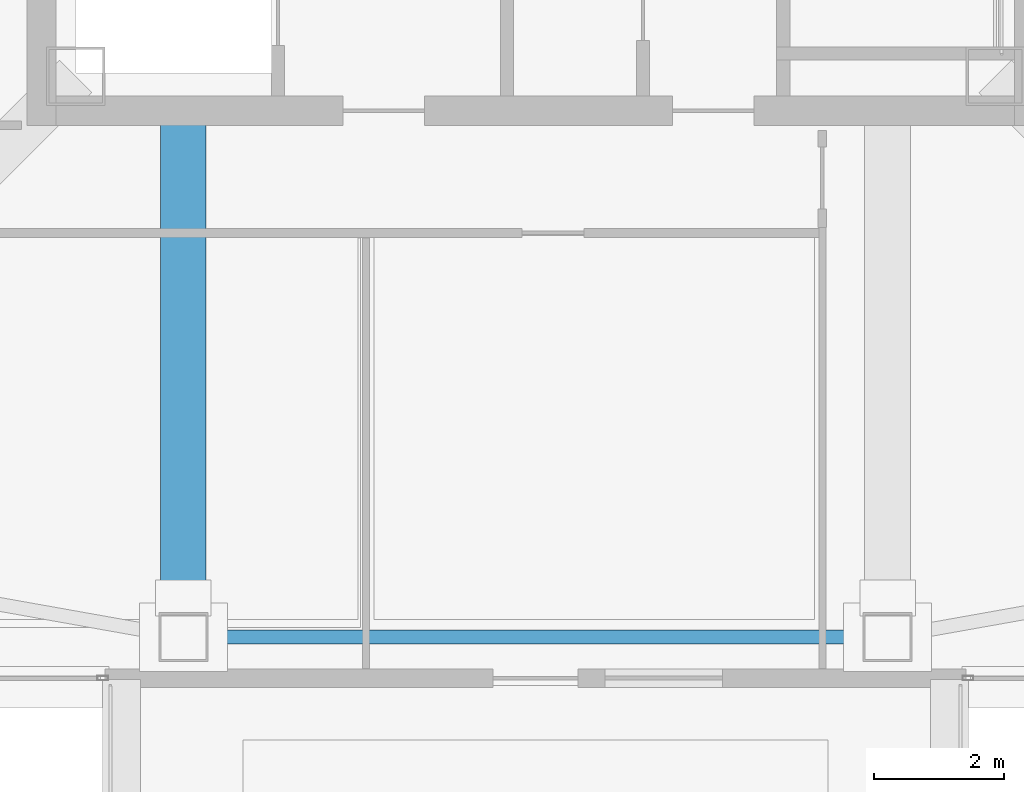
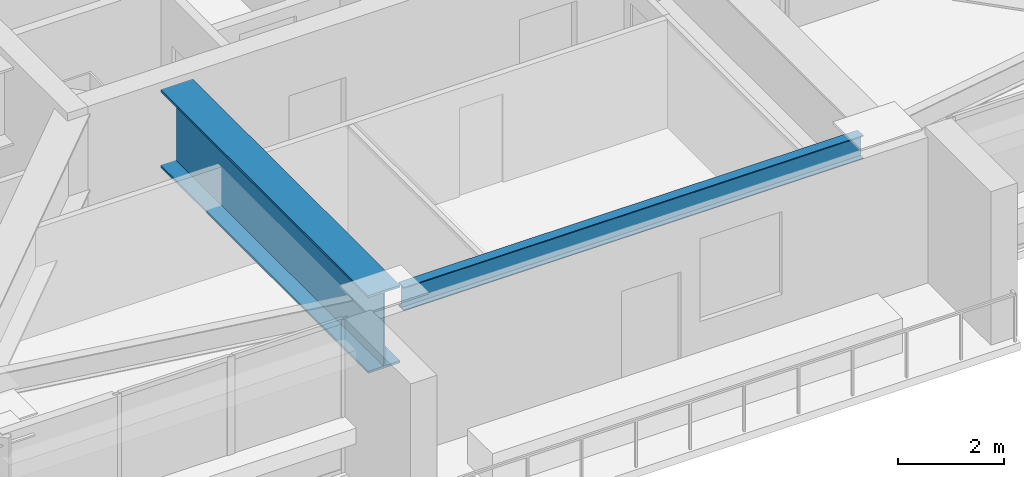
# One storey, part 5 of 40: 2 beams.
"""IFC4 building model written with IfcOpenShell, lengths in metres."""

import ifcopenshell
import ifcopenshell.guid

model = None  # the IFC model being written
_history = None  # IfcOwnerHistory: only IFC2X3 demands one
_inside = {}  # id of a spatial element -> (the spatial element, [elements in it])
_under = {}  # id of a project, library or spatial element -> (it, [spatial elements below it])
_declared = {}  # id of a project -> (the project, [libraries it declares])
_typed = {}  # id of a type object -> (the type object, [elements of that type])
_made_of = {}  # id of a material, layer set ... -> (it, [elements and type objects made of it])


def new_model(schema):
    """Start an empty IFC model of exactly this schema.

    Asked for "IFC4X3", IfcOpenShell would pick the latest addendum, in which some entities
    have other attributes; the version numbers below select the first issue.
    IFC2X3 requires an IfcOwnerHistory on every rooted entity: one is made here for all.
    """
    global model, _history
    if schema == "IFC4X3":
        model = ifcopenshell.file(schema_version=(4, 3, 0, 0))
    else:
        model = ifcopenshell.file(schema=schema)
    _inside.clear()
    _under.clear()
    _declared.clear()
    _typed.clear()
    _made_of.clear()
    _history = None
    if model.schema == "IFC2X3":
        org = make("IfcOrganization", Name="unknown")
        user = make(
            "IfcPersonAndOrganization",
            ThePerson=make("IfcPerson", FamilyName="unknown"),
            TheOrganization=org,
        )
        app = make(
            "IfcApplication",
            ApplicationDeveloper=org,
            Version="unknown",
            ApplicationFullName="unknown",
            ApplicationIdentifier="unknown",
        )
        _history = make(
            "IfcOwnerHistory",
            OwningUser=user,
            OwningApplication=app,
            ChangeAction="ADDED",
            CreationDate=0,
        )
    return model


def make(cls, **values):
    """One entity of the class cls with the attributes given. An attribute that is None is left unset."""
    return model.create_entity(
        cls, **{name: value for name, value in values.items() if value is not None}
    )


def rooted(cls, **values):
    """An entity with a GlobalId (a new one), such as an element, a storey or a relation."""
    return make(cls, GlobalId=ifcopenshell.guid.new(), OwnerHistory=_history, **values)


def si_unit(unit_type, name, prefix=None):
    """IfcSIUnit, for example si_unit("LENGTHUNIT", "METRE", prefix="MILLI")."""
    return make("IfcSIUnit", UnitType=unit_type, Prefix=prefix, Name=name)


def assignment(units):
    """IfcUnitAssignment: the units of a project."""
    return None if units is None else make("IfcUnitAssignment", Units=units)


def point(xyz):
    """IfcCartesianPoint."""
    return None if xyz is None else make("IfcCartesianPoint", Coordinates=xyz)


def direction(xyz):
    """IfcDirection."""
    return None if xyz is None else make("IfcDirection", DirectionRatios=xyz)


def frame(location, z_axis=None, x_axis=None):
    """IfcAxis2Placement3D, a coordinate frame: its origin and axes. An axis left out is left unset."""
    return make(
        "IfcAxis2Placement3D",
        Location=point(location),
        Axis=direction(z_axis),
        RefDirection=direction(x_axis),
    )


def frame_2d(location, x_axis=None):
    """IfcAxis2Placement2D, a coordinate frame in the plane: its origin and x axis."""
    return make(
        "IfcAxis2Placement2D", Location=point(location), RefDirection=direction(x_axis)
    )


def origin():
    """The frame at (0, 0, 0) with its axes left unset."""
    return frame((0.0, 0.0, 0.0))


def origin_2d():
    """The frame at (0, 0) in the plane with its x axis left unset."""
    return frame_2d((0.0, 0.0))


def place(relative_to, where):
    """IfcLocalPlacement: puts the frame where relative to a parent placement (None: the world)."""
    return make(
        "IfcLocalPlacement", PlacementRelTo=relative_to, RelativePlacement=where
    )


def context(
    kind, dimensions, precision=None, world=None, true_north=None, identifier=None
):
    """IfcGeometricRepresentationContext, for example the 3D "Model" context."""
    return make(
        "IfcGeometricRepresentationContext",
        ContextIdentifier=identifier,
        ContextType=kind,
        CoordinateSpaceDimension=dimensions,
        Precision=precision,
        WorldCoordinateSystem=world,
        TrueNorth=true_north,
    )


def subcontext(parent, identifier, kind, view, scale=None):
    """IfcGeometricRepresentationSubContext, for example "Body" below "Model"."""
    return make(
        "IfcGeometricRepresentationSubContext",
        ContextIdentifier=identifier,
        ContextType=kind,
        ParentContext=parent,
        TargetScale=scale,
        TargetView=view,
    )


def project(units=None, contexts=None):
    """IfcProject with its units and contexts."""
    return rooted(
        "IfcProject",
        Name="project",
        RepresentationContexts=contexts,
        UnitsInContext=assignment(units),
    )


def spatial(cls, under=None, at=None, **own):
    """A site, building, storey or space (cls), placed at a placement, below another one or the project."""
    s = rooted(cls, ObjectPlacement=at, **own)
    if under is not None:
        _under.setdefault(under.id(), (under, []))[1].append(s)
    return s


def profile(cls, at=None, kind="AREA", **sizes):
    """A parametric profile (cls). Its sizes go by their IFC names, for example OverallWidth=200.0."""
    return make(cls, ProfileType=kind, Position=at, **sizes)


def i_section(**sizes):
    """IfcIShapeProfileDef."""
    return profile("IfcIShapeProfileDef", **sizes)


def extrude(swept, where, along, depth):
    """IfcExtrudedAreaSolid: the profile swept, set in the frame where, extruded along a direction by depth."""
    return make(
        "IfcExtrudedAreaSolid",
        SweptArea=swept,
        Position=where,
        ExtrudedDirection=direction(along),
        Depth=depth,
    )


def shape(context_of_items, identifier, shape_type, items):
    """IfcShapeRepresentation: the items that make up one representation, for example the "Body"."""
    return make(
        "IfcShapeRepresentation",
        ContextOfItems=context_of_items,
        RepresentationIdentifier=identifier,
        RepresentationType=shape_type,
        Items=items,
    )


def material(Name=None, Category=None):
    """IfcMaterial."""
    return make("IfcMaterial", Name=Name, Category=Category)


def material_profile(
    of_material, cross_section, Name=None, Category=None, Priority=None
):
    """IfcMaterialProfile: a cross section and its material."""
    return make(
        "IfcMaterialProfile",
        Name=Name,
        Material=of_material,
        Profile=cross_section,
        Priority=Priority,
        Category=Category,
    )


def profile_set(profiles, Name=None, composite=None):
    """IfcMaterialProfileSet."""
    return make(
        "IfcMaterialProfileSet",
        Name=Name,
        MaterialProfiles=profiles,
        CompositeProfile=composite,
    )


def made_of(thing, what):
    """Note that an element or type object is made of a material, layer set ...; save() writes the relation."""
    if what is not None:
        _made_of.setdefault(what.id(), (what, []))[1].append(thing)
    return thing


def type_object(cls, material=None, **own):
    """A type object (cls), such as IfcWallType, which elements share."""
    return made_of(rooted(cls, **own), material)


def element(
    cls,
    number,
    at=None,
    inside=None,
    cuts=None,
    type_object=None,
    material=None,
    context=None,
    identifier="Body",
    shape_type=None,
    held_by="IfcProductDefinitionShape",
    body=None,
    shapes=None,
    **own,
):
    """One element of the class cls, such as IfcWall. Its Tag is "e" and its number.

    at: its placement. inside: the storey or other place that contains it. cuts: it is an
    opening in that element (IfcRelVoidsElement). A single representation is given by context,
    identifier, shape_type and body (its items); several are given by shapes. held_by: the class
    of the entity that holds the representations. save() writes the other relations.
    """
    e = rooted(cls, Tag="e%d" % number, ObjectPlacement=at, **own)
    if body is not None:
        shapes = [shape(context, identifier, shape_type, body)]
    if shapes is not None:
        e.Representation = make(held_by, Representations=shapes)
    if inside is not None:
        _inside.setdefault(inside.id(), (inside, []))[1].append(e)
    if cuts is not None:
        rooted(
            "IfcRelVoidsElement", RelatingBuildingElement=cuts, RelatedOpeningElement=e
        )
    if type_object is not None:
        _typed.setdefault(type_object.id(), (type_object, []))[1].append(e)
    return made_of(e, material)


def aggregate(whole, parts):
    """IfcRelAggregates: a whole, such as a stair, and the parts it consists of."""
    return rooted("IfcRelAggregates", RelatingObject=whole, RelatedObjects=parts)


def save(model, path):
    """Write the relations noted so far, then the file.

    IfcRelAggregates (storeys below a building ...), IfcRelContainedInSpatialStructure (elements
    in a storey), IfcRelDefinesByType, IfcRelAssociatesMaterial and IfcRelDeclares: one each for
    every whole, place, type object, material and project.
    """
    for whole, parts in _under.values():
        aggregate(whole, parts)
    for where, things in _inside.values():
        rooted(
            "IfcRelContainedInSpatialStructure",
            RelatedElements=things,
            RelatingStructure=where,
        )
    for kind, things in _typed.values():
        rooted("IfcRelDefinesByType", RelatedObjects=things, RelatingType=kind)
    for what, things in _made_of.values():
        rooted("IfcRelAssociatesMaterial", RelatedObjects=things, RelatingMaterial=what)
    for by, libraries in _declared.values():
        rooted("IfcRelDeclares", RelatingContext=by, RelatedDefinitions=libraries)
    model.write(path)


model = new_model("IFC4")

# Units and contexts
model_context = context("Model", 3, precision=1e-05, world=origin(), true_north=direction((0.0, 1.0)))
body_context = subcontext(model_context, "Body", "Model", "MODEL_VIEW")
ifc_project = project(units=[si_unit("LENGTHUNIT", "METRE"), si_unit("AREAUNIT", "SQUARE_METRE"), si_unit("VOLUMEUNIT", "CUBIC_METRE"), si_unit("PLANEANGLEUNIT", "RADIAN"), si_unit("MASSUNIT", "GRAM", prefix="KILO")], contexts=[model_context])

# Site, building, storey
site_placement = place(None, origin())
site = spatial("IfcSite", under=ifc_project, at=site_placement, CompositionType="ELEMENT")
building_placement = place(site_placement, origin())
building = spatial("IfcBuilding", under=site, at=building_placement, Name="Tashvorn Skyway Center", CompositionType="ELEMENT")
storey_placement = place(building_placement, frame((0.0, 0.0, 229.050048828125)))
storey = spatial("IfcBuildingStorey", under=building, at=storey_placement, Name="L62", CompositionType="ELEMENT", Elevation=229.050048828125)

# Beams
ifc_material_1 = material(Name="Steel ASTM A572 Grade 50", Category="steel")
ifc_material_profile_1 = material_profile(ifc_material_1, i_section(OverallWidth=0.699951171875, OverallDepth=1.800048828125, WebThickness=0.031982421875, FlangeThickness=0.050048828125, at=origin_2d()), Name="PG1800x700")
ifc_profile_set_1 = profile_set([ifc_material_profile_1], Name="Steel ASTM A572 Grade 50")
beam_type_1 = type_object("IfcBeamType", Name="BM-BEAM-PG1800x700", PredefinedType="BEAM", material=ifc_profile_set_1)
beam_1_placement = place(storey_placement, frame((36.60009765625, 16.35009765625, 2.469970703125), z_axis=(0.0, 1.0, 0.0), x_axis=(-1.0, 0.0, 0.0)))
element("IfcBeam", 1, at=beam_1_placement, inside=storey, type_object=beam_type_1, Name="Tower 1 L62 Setback Transfer Girder FC-S1", PredefinedType="BEAM", context=body_context, shape_type="SweptSolid", body=[
    extrude(i_section(OverallWidth=0.699951171875, OverallDepth=1.800048828125, WebThickness=0.031982421875, FlangeThickness=0.050048828125, at=origin_2d()), origin(), (0.0, 0.0, 1.0), 7.869873046875),
])
ifc_material_2 = material(Name="Steel ASTM A992 Grade 50", Category="steel")
ifc_material_profile_2 = material_profile(ifc_material_2, i_section(OverallWidth=0.2109375, OverallDepth=0.5390625, WebThickness=0.01171875, FlangeThickness=0.018798828125, at=origin_2d()), Name="W21X73")
ifc_profile_set_2 = profile_set([ifc_material_profile_2], Name="Steel ASTM A992 Grade 50")
beam_type_2 = type_object("IfcBeamType", Name="BM-SPANDREL-W21X73", PredefinedType="SPANDREL", material=ifc_profile_set_2)
beam_2_placement = place(storey_placement, frame((36.969970703125, 16.35009765625, 3.100341796875), z_axis=(1.0, 0.0, 0.0), x_axis=(0.0, 1.0, 0.0)))
element("IfcBeam", 2, at=beam_2_placement, inside=storey, type_object=beam_type_2, Name="Tower 1 L62 Spandrel Beam 02", PredefinedType="SPANDREL", context=body_context, shape_type="SweptSolid", body=[
    extrude(i_section(OverallWidth=0.2109375, OverallDepth=0.5390625, WebThickness=0.01171875, FlangeThickness=0.018798828125, at=origin_2d()), origin(), (0.0, 0.0, 1.0), 10.06005859375),
])

save(model, "model.ifc")
